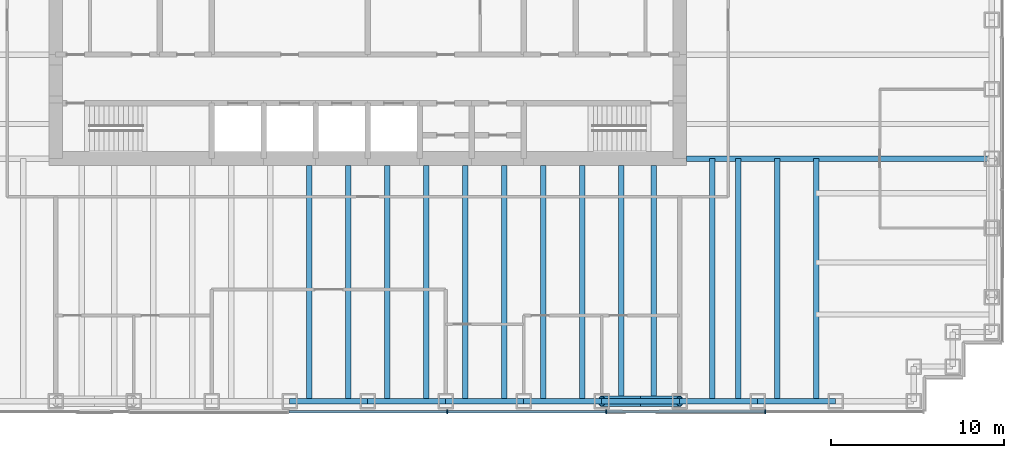
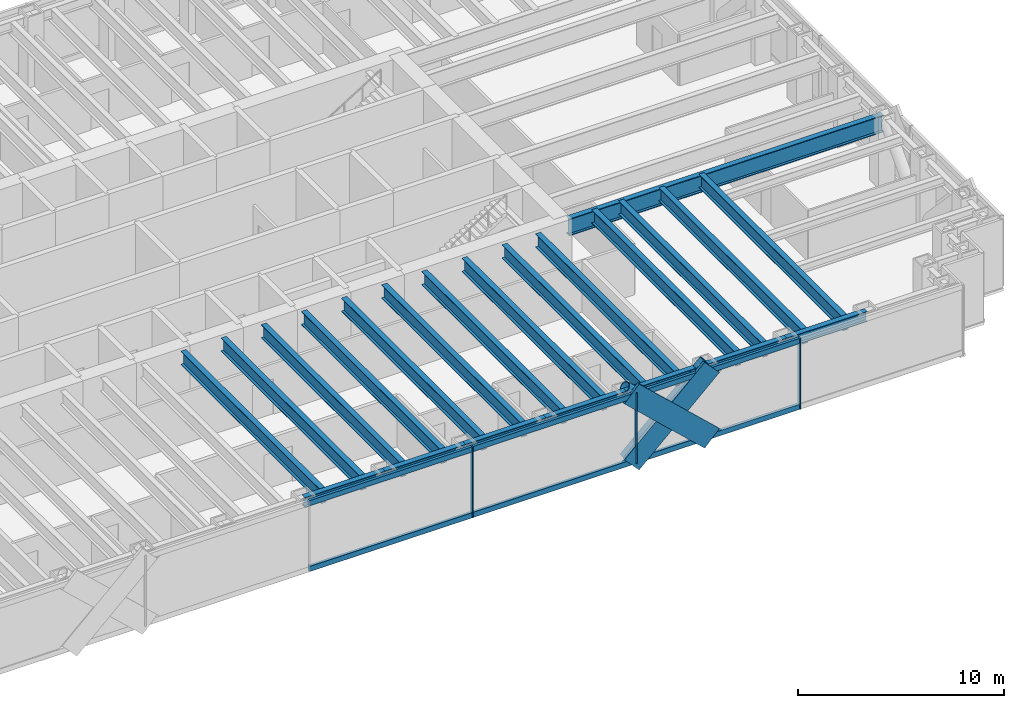
# One storey, part 3 of 17: 22 beams, 13 members, 1 element without a shape of its own.
"""IFC4 building model written with IfcOpenShell, lengths in metres."""

from ifc_helpers import new_model, si_unit, direction, frame, origin, origin_2d, place, context, subcontext, project, spatial, rectangle, hollow_circle, i_section, extrude, material, material_profile, profile_set, type_object, element, aggregate, save


model = new_model("IFC4")

# Units and contexts
model_context = context("Model", 3, precision=1e-05, world=origin(), true_north=direction((0.0, 1.0)))
body_context = subcontext(model_context, "Body", "Model", "MODEL_VIEW")
ifc_project = project(units=[si_unit("LENGTHUNIT", "METRE"), si_unit("AREAUNIT", "SQUARE_METRE"), si_unit("VOLUMEUNIT", "CUBIC_METRE"), si_unit("PLANEANGLEUNIT", "RADIAN"), si_unit("MASSUNIT", "GRAM", prefix="KILO")], contexts=[model_context])

# Site, building, storey
site_placement = place(None, origin())
site = spatial("IfcSite", under=ifc_project, at=site_placement, CompositionType="ELEMENT")
building_placement = place(site_placement, origin())
building = spatial("IfcBuilding", under=site, at=building_placement, Name="Rheinbord Bourse Tower", CompositionType="ELEMENT")
storey_placement = place(building_placement, frame((0.0, 0.0, 227.800048828125)))
storey = spatial("IfcBuildingStorey", under=building, at=storey_placement, Name="L51", CompositionType="ELEMENT", Elevation=227.800048828125)

# Curtain wall, members
ifc_material_1 = material(Name="Dark glass and black aluminium", Category="aluminium")
curtain_wall_type = type_object("IfcCurtainWallType", Name="CW2 DARK GLASS CURTAIN WALL", PredefinedType="USERDEFINED", material=ifc_material_1)
curtain_wall_placement = place(storey_placement, origin())
curtain_wall = element("IfcCurtainWall", 1, at=curtain_wall_placement, inside=storey, type_object=curtain_wall_type, Name="Curtain wall CW2 S L51", ObjectType="UNITISED CURTAIN WALL", PredefinedType="USERDEFINED")
ifc_material_2 = material(Name="Black anodised aluminium", Category="aluminium")
ifc_material_profile_1 = material_profile(ifc_material_2, rectangle(XDim=0.159912109375, YDim=1.2099609375, at=origin_2d()), Name="CW2 DIAGONAL MULLION 1210x160")
ifc_profile_set_1 = profile_set([ifc_material_profile_1], Name="Black anodised aluminium")
member_type_1 = type_object("IfcMemberType", Name="CW2 BLACK DIAGONAL MULLION", PredefinedType="USERDEFINED", material=ifc_profile_set_1)
member_1_placement = place(storey_placement, frame((49.5, 1.39990234375, 0.0), z_axis=(0.73105922506, 0.0, 0.682314010889), x_axis=(0.0, 1.0, 0.0)))
member_1 = element("IfcMember", 2, at=member_1_placement, type_object=member_type_1, Name="CW2 diagonal mullion b", ObjectType="DIAGONAL MULLION", PredefinedType="USERDEFINED", context=body_context, shape_type="SweptSolid", body=[
    extrude(rectangle(XDim=0.159912109375, YDim=1.2099609375, at=origin_2d()), origin(), (0.0, 0.0, 1.0), 6.155517578125),
])
member_2_placement = place(storey_placement, frame((54.0, 1.39990234375, 0.0), z_axis=(-0.73105922506, 0.0, 0.682314010889), x_axis=(0.0, -1.0, 0.0)))
member_2 = element("IfcMember", 3, at=member_2_placement, type_object=member_type_1, Name="CW2 diagonal mullion d", ObjectType="DIAGONAL MULLION", PredefinedType="USERDEFINED", context=body_context, shape_type="SweptSolid", body=[
    extrude(rectangle(XDim=0.159912109375, YDim=1.2099609375, at=origin_2d()), origin(), (0.0, 0.0, 1.0), 6.155517578125),
])
ifc_material_3 = material(Name="Black anodised aluminium", Category="aluminium")
ifc_material_profile_2 = material_profile(ifc_material_3, rectangle(XDim=0.219970703125, YDim=0.070068359375, at=origin_2d()), Name="CW2 MULLION 70x220")
ifc_profile_set_2 = profile_set([ifc_material_profile_2], Name="Black anodised aluminium")
member_type_2 = type_object("IfcMemberType", Name="CW2 BLACK MULLION", PredefinedType="MULLION", material=ifc_profile_set_2)
member_3_placement = place(storey_placement, frame((40.585693359375, 1.39990234375, 0.0), z_axis=(0.0, 0.0, 1.0), x_axis=(0.0, 1.0, 0.0)))
member_3 = element("IfcMember", 4, at=member_3_placement, type_object=member_type_2, Name="CW2 mullion 5", PredefinedType="MULLION", context=body_context, shape_type="SweptSolid", body=[
    extrude(rectangle(XDim=0.219970703125, YDim=0.070068359375, at=origin_2d()), origin(), (0.0, 0.0, 1.0), 4.199951171875),
])
member_4_placement = place(storey_placement, frame((49.757080078125, 1.39990234375, 0.0), z_axis=(0.0, 0.0, 1.0), x_axis=(0.0, 1.0, 0.0)))
member_4 = element("IfcMember", 5, at=member_4_placement, type_object=member_type_2, Name="CW2 mullion 6", PredefinedType="MULLION", context=body_context, shape_type="SweptSolid", body=[
    extrude(rectangle(XDim=0.219970703125, YDim=0.070068359375, at=origin_2d()), origin(), (0.0, 0.0, 1.0), 4.199951171875),
])
member_5_placement = place(storey_placement, frame((58.928466796875, 1.39990234375, 0.0), z_axis=(0.0, 0.0, 1.0), x_axis=(0.0, 1.0, 0.0)))
member_5 = element("IfcMember", 6, at=member_5_placement, type_object=member_type_2, Name="CW2 mullion 7", PredefinedType="MULLION", context=body_context, shape_type="SweptSolid", body=[
    extrude(rectangle(XDim=0.219970703125, YDim=0.070068359375, at=origin_2d()), origin(), (0.0, 0.0, 1.0), 4.199951171875),
])
ifc_material_4 = material(Name="Black anodised aluminium", Category="aluminium")
ifc_material_profile_3 = material_profile(ifc_material_4, rectangle(XDim=0.159912109375, YDim=0.300048828125, at=origin_2d()), Name="CW2 TRANSOM 300x160")
ifc_profile_set_3 = profile_set([ifc_material_profile_3], Name="Black anodised aluminium")
member_type_3 = type_object("IfcMemberType", Name="CW2 BLACK TRANSOM", PredefinedType="USERDEFINED", material=ifc_profile_set_3)
member_6_placement = place(storey_placement, frame((31.44921875, 1.39990234375, 0.14990234375), z_axis=(1.0, 0.0, 0.0), x_axis=(0.0, 1.0, 0.0)))
member_6 = element("IfcMember", 7, at=member_6_placement, type_object=member_type_3, Name="CW2 transom 4.1", ObjectType="TRANSOM", PredefinedType="USERDEFINED", context=body_context, shape_type="SweptSolid", body=[
    extrude(rectangle(XDim=0.159912109375, YDim=0.300048828125, at=origin_2d()), origin(), (0.0, 0.0, 1.0), 9.1015625),
])
member_7_placement = place(storey_placement, frame((31.44921875, 1.39990234375, 4.050048828125), z_axis=(1.0, 0.0, 0.0), x_axis=(0.0, 1.0, 0.0)))
member_7 = element("IfcMember", 8, at=member_7_placement, type_object=member_type_3, Name="CW2 transom 4.2", ObjectType="TRANSOM", PredefinedType="USERDEFINED", context=body_context, shape_type="SweptSolid", body=[
    extrude(rectangle(XDim=0.159912109375, YDim=0.300048828125, at=origin_2d()), origin(), (0.0, 0.0, 1.0), 9.1015625),
])
member_8_placement = place(storey_placement, frame((40.62060546875, 1.39990234375, 0.14990234375), z_axis=(1.0, 0.0, 0.0), x_axis=(0.0, 1.0, 0.0)))
member_8 = element("IfcMember", 9, at=member_8_placement, type_object=member_type_3, Name="CW2 transom 5.1", ObjectType="TRANSOM", PredefinedType="USERDEFINED", context=body_context, shape_type="SweptSolid", body=[
    extrude(rectangle(XDim=0.159912109375, YDim=0.300048828125, at=origin_2d()), origin(), (0.0, 0.0, 1.0), 9.1015625),
])
member_9_placement = place(storey_placement, frame((40.62060546875, 1.39990234375, 4.050048828125), z_axis=(1.0, 0.0, 0.0), x_axis=(0.0, 1.0, 0.0)))
member_9 = element("IfcMember", 10, at=member_9_placement, type_object=member_type_3, Name="CW2 transom 5.2", ObjectType="TRANSOM", PredefinedType="USERDEFINED", context=body_context, shape_type="SweptSolid", body=[
    extrude(rectangle(XDim=0.159912109375, YDim=0.300048828125, at=origin_2d()), origin(), (0.0, 0.0, 1.0), 9.1015625),
])
member_10_placement = place(storey_placement, frame((49.792236328125, 1.39990234375, 0.14990234375), z_axis=(1.0, 0.0, 0.0), x_axis=(0.0, 1.0, 0.0)))
member_10 = element("IfcMember", 11, at=member_10_placement, type_object=member_type_3, Name="CW2 transom 6.1", ObjectType="TRANSOM", PredefinedType="USERDEFINED", context=body_context, shape_type="SweptSolid", body=[
    extrude(rectangle(XDim=0.159912109375, YDim=0.300048828125, at=origin_2d()), origin(), (0.0, 0.0, 1.0), 9.101318359375),
])
member_11_placement = place(storey_placement, frame((49.792236328125, 1.39990234375, 4.050048828125), z_axis=(1.0, 0.0, 0.0), x_axis=(0.0, 1.0, 0.0)))
member_11 = element("IfcMember", 12, at=member_11_placement, type_object=member_type_3, Name="CW2 transom 6.2", ObjectType="TRANSOM", PredefinedType="USERDEFINED", context=body_context, shape_type="SweptSolid", body=[
    extrude(rectangle(XDim=0.159912109375, YDim=0.300048828125, at=origin_2d()), origin(), (0.0, 0.0, 1.0), 9.101318359375),
])
aggregate(curtain_wall, [member_3, member_4, member_5, member_6, member_7, member_8, member_9, member_10, member_11, member_1, member_2])

# Beams
ifc_material_5 = material(Name="Steel S460", Category="steel")
ifc_material_profile_4 = material_profile(ifc_material_5, i_section(OverallWidth=0.300048828125, OverallDepth=0.800048828125, WebThickness=0.017578125, FlangeThickness=0.032958984375, at=origin_2d()), Name="HEB 800")
ifc_profile_set_4 = profile_set([ifc_material_profile_4], Name="Steel S460")
beam_type_1 = type_object("IfcBeamType", Name="FLOOR BEAM HEB 800", PredefinedType="BEAM", material=ifc_profile_set_4)
for number, where, z_axis, x_axis, name in (
    (13, (32.625, 2.0, 3.639892578125), (0.0, 1.0, 0.0), (-1.0, 0.0, 0.0), "Floor beam S-31.5a L52"),
    (14, (34.875, 2.0, 3.639892578125), (0.0, 1.0, 0.0), (-1.0, 0.0, 0.0), "Floor beam S-31.5b L52"),
    (15, (37.125, 2.0, 3.639892578125), (0.0, 1.0, 0.0), (-1.0, 0.0, 0.0), "Floor beam S-36a L52"),
    (16, (39.375, 2.0, 3.639892578125), (0.0, 1.0, 0.0), (-1.0, 0.0, 0.0), "Floor beam S-36b L52"),
    (17, (41.625, 2.0, 3.639892578125), (0.0, 1.0, 0.0), (-1.0, 0.0, 0.0), "Floor beam S-40.5a L52"),
    (18, (43.875, 2.0, 3.639892578125), (0.0, 1.0, 0.0), (-1.0, 0.0, 0.0), "Floor beam S-40.5b L52"),
    (19, (46.125, 2.0, 3.639892578125), (0.0, 1.0, 0.0), (-1.0, 0.0, 0.0), "Floor beam S-45a L52"),
    (20, (48.375, 2.0, 3.639892578125), (0.0, 1.0, 0.0), (-1.0, 0.0, 0.0), "Floor beam S-45b L52"),
    (21, (50.625, 2.0, 3.639892578125), (0.0, 1.0, 0.0), (-1.0, 0.0, 0.0), "Floor beam S-49.5a L52"),
    (22, (52.5, 2.0, 3.639892578125), (0.0, 1.0, 0.0), (-1.0, 0.0, 0.0), "Floor beam S-49.5b L52"),
):
    element("IfcBeam", number, at=place(storey_placement, frame(where, z_axis=z_axis, x_axis=x_axis)), inside=storey, type_object=beam_type_1, Name=name, PredefinedType="BEAM", context=body_context, shape_type="SweptSolid", body=[
        extrude(i_section(OverallWidth=0.300048828125, OverallDepth=0.800048828125, WebThickness=0.017578125, FlangeThickness=0.032958984375, at=origin_2d()), origin(), (0.0, 0.0, 1.0), 13.60009765625),
    ])
for number, where, z_axis, x_axis, name in (
    (23, (55.875, 2.0, 3.639892578125), (0.0, 1.0, 0.0), (-1.0, 0.0, 0.0), "Floor beam S-54a L52"),
    (24, (57.375, 2.0, 3.639892578125), (0.0, 1.0, 0.0), (-1.0, 0.0, 0.0), "Floor beam S-54b L52"),
    (25, (59.625, 2.0, 3.639892578125), (0.0, 1.0, 0.0), (-1.0, 0.0, 0.0), "Floor beam S-58.5a L52"),
    (26, (61.875, 2.0, 3.639892578125), (0.0, 1.0, 0.0), (-1.0, 0.0, 0.0), "Floor beam S-58.5b L52"),
):
    element("IfcBeam", number, at=place(storey_placement, frame(where, z_axis=z_axis, x_axis=x_axis)), inside=storey, type_object=beam_type_1, Name=name, PredefinedType="BEAM", context=body_context, shape_type="SweptSolid", body=[
        extrude(i_section(OverallWidth=0.300048828125, OverallDepth=0.800048828125, WebThickness=0.017578125, FlangeThickness=0.032958984375, at=origin_2d()), origin(), (0.0, 0.0, 1.0), 14.0),
    ])
ifc_material_6 = material(Name="Steel S460", Category="steel")
ifc_material_profile_5 = material_profile(ifc_material_6, i_section(OverallWidth=0.302001953125, OverallDepth=1.008056640625, WebThickness=0.02099609375, FlangeThickness=0.0400390625, at=origin_2d()), Name="HEM 1000")
ifc_profile_set_5 = profile_set([ifc_material_profile_5], Name="Steel S460")
beam_type_2 = type_object("IfcBeamType", Name="GIRDER HEM 1000", PredefinedType="BEAM", material=ifc_profile_set_5)
beam_placement = place(storey_placement, frame((54.39990234375, 16.0, 3.535888671875), z_axis=(1.0, 0.0, 0.0), x_axis=(0.0, 1.0, 0.0)))
element("IfcBeam", 27, at=beam_placement, inside=storey, type_object=beam_type_2, Name="Girder east 16 L52", PredefinedType="BEAM", context=body_context, shape_type="SweptSolid", body=[
    extrude(i_section(OverallWidth=0.302001953125, OverallDepth=1.008056640625, WebThickness=0.02099609375, FlangeThickness=0.0400390625, at=origin_2d()), origin(), (0.0, 0.0, 1.0), 17.60009765625),
])

# Members
ifc_material_7 = material(Name="Steel S460", Category="steel")
ifc_material_profile_6 = material_profile(ifc_material_7, hollow_circle(Radius=0.304931640625, WallThickness=0.0400390625, at=origin_2d()), Name="CHS 610x40")
ifc_profile_set_6 = profile_set([ifc_material_profile_6], Name="Steel S460")
member_type_4 = type_object("IfcMemberType", Name="MEGABRACE CHS 610x40", PredefinedType="BRACE", material=ifc_profile_set_6)
for number, where, z_axis, x_axis, name in (
    (28, (49.5, 2.0, 0.0), (0.73105922506, 0.0, 0.682314010889), (0.0, 1.0, 0.0), "Megabrace S face line b L51"),
    (29, (54.0, 2.0, 0.0), (-0.73105922506, 0.0, 0.682314010889), (0.0, -1.0, 0.0), "Megabrace S face line d L51"),
):
    element("IfcMember", number, at=place(storey_placement, frame(where, z_axis=z_axis, x_axis=x_axis)), inside=storey, type_object=member_type_4, Name=name, PredefinedType="BRACE", context=body_context, shape_type="SweptSolid", body=[
        extrude(hollow_circle(Radius=0.304931640625, WallThickness=0.0400390625, at=origin_2d()), origin(), (0.0, 0.0, 1.0), 6.155517578125),
    ])

# Beams
ifc_material_8 = material(Name="Steel S460", Category="steel")
ifc_material_profile_7 = material_profile(ifc_material_8, i_section(OverallWidth=0.300048828125, OverallDepth=0.60009765625, WebThickness=0.015380859375, FlangeThickness=0.030029296875, at=origin_2d()), Name="HEB 600")
ifc_profile_set_7 = profile_set([ifc_material_profile_7], Name="Steel S460")
beam_type_3 = type_object("IfcBeamType", Name="SPANDREL HEB 600", PredefinedType="SPANDREL", material=ifc_profile_set_7)
for number, where, z_axis, x_axis, name in (
    (30, (31.5, 2.0, 3.739990234375), (1.0, 0.0, 0.0), (0.0, 1.0, 0.0), "Spandrel S-31.5-S-36 under L52"),
    (31, (36.0, 2.0, 3.739990234375), (1.0, 0.0, 0.0), (0.0, 1.0, 0.0), "Spandrel S-36-S-40.5 under L52"),
    (32, (40.5, 2.0, 3.739990234375), (1.0, 0.0, 0.0), (0.0, 1.0, 0.0), "Spandrel S-40.5-S-45 under L52"),
    (33, (45.0, 2.0, 3.739990234375), (1.0, 0.0, 0.0), (0.0, 1.0, 0.0), "Spandrel S-45-S-49.5 under L52"),
    (34, (49.5, 2.0, 3.739990234375), (1.0, 0.0, 0.0), (0.0, 1.0, 0.0), "Spandrel S-49.5-S-54 under L52"),
    (35, (54.0, 2.0, 3.739990234375), (1.0, 0.0, 0.0), (0.0, 1.0, 0.0), "Spandrel S-54-S-58.5 under L52"),
    (36, (58.5, 2.0, 3.739990234375), (1.0, 0.0, 0.0), (0.0, 1.0, 0.0), "Spandrel S-58.5-S-63 under L52"),
):
    element("IfcBeam", number, at=place(storey_placement, frame(where, z_axis=z_axis, x_axis=x_axis)), inside=storey, type_object=beam_type_3, Name=name, PredefinedType="SPANDREL", context=body_context, shape_type="SweptSolid", body=[
        extrude(i_section(OverallWidth=0.300048828125, OverallDepth=0.60009765625, WebThickness=0.015380859375, FlangeThickness=0.030029296875, at=origin_2d()), origin(), (0.0, 0.0, 1.0), 4.5),
    ])

save(model, "model.ifc")
